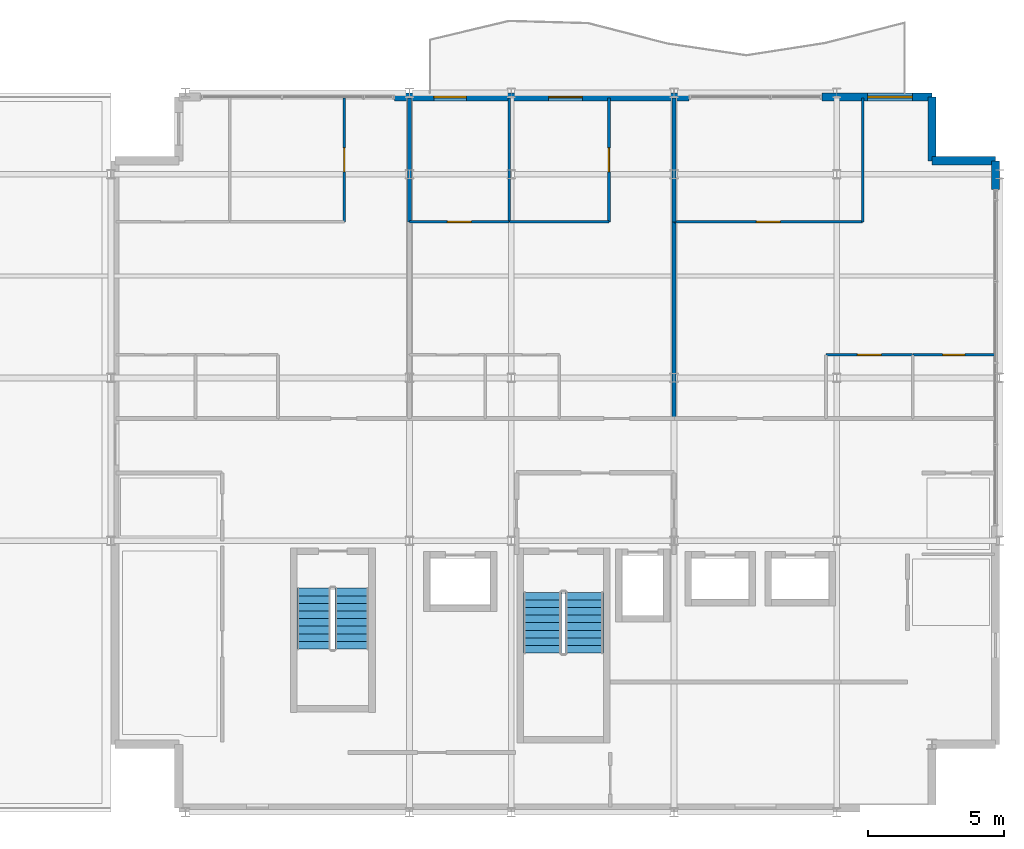
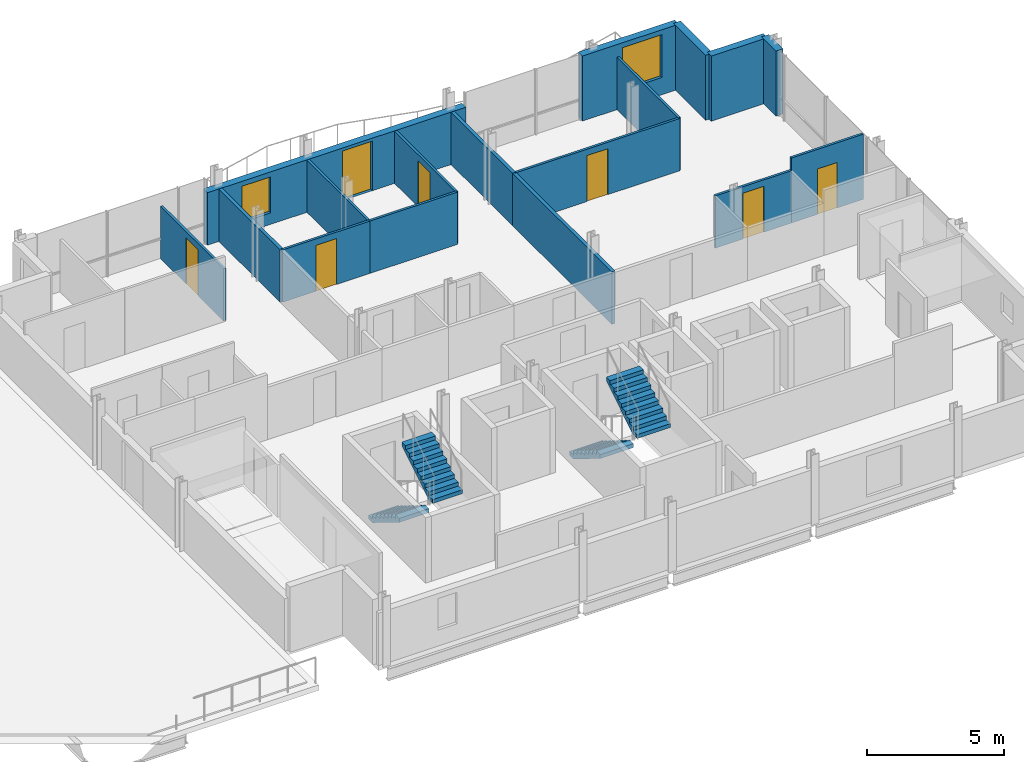
# One storey, part 15 of 17: 17 walls, 7 doors, 4 stair flights, 2 windows, 9 openings, 2 elements without a shape of their own.
"""IFC4 building model written with IfcOpenShell, lengths in metres."""

import ifcopenshell
import ifcopenshell.guid

model = None  # the IFC model being written
_history = None  # IfcOwnerHistory: only IFC2X3 demands one
_inside = {}  # id of a spatial element -> (the spatial element, [elements in it])
_under = {}  # id of a project, library or spatial element -> (it, [spatial elements below it])
_declared = {}  # id of a project -> (the project, [libraries it declares])
_typed = {}  # id of a type object -> (the type object, [elements of that type])
_made_of = {}  # id of a material, layer set ... -> (it, [elements and type objects made of it])


def new_model(schema):
    """Start an empty IFC model of exactly this schema.

    Asked for "IFC4X3", IfcOpenShell would pick the latest addendum, in which some entities
    have other attributes; the version numbers below select the first issue.
    IFC2X3 requires an IfcOwnerHistory on every rooted entity: one is made here for all.
    """
    global model, _history
    if schema == "IFC4X3":
        model = ifcopenshell.file(schema_version=(4, 3, 0, 0))
    else:
        model = ifcopenshell.file(schema=schema)
    _inside.clear()
    _under.clear()
    _declared.clear()
    _typed.clear()
    _made_of.clear()
    _history = None
    if model.schema == "IFC2X3":
        org = make("IfcOrganization", Name="unknown")
        user = make(
            "IfcPersonAndOrganization",
            ThePerson=make("IfcPerson", FamilyName="unknown"),
            TheOrganization=org,
        )
        app = make(
            "IfcApplication",
            ApplicationDeveloper=org,
            Version="unknown",
            ApplicationFullName="unknown",
            ApplicationIdentifier="unknown",
        )
        _history = make(
            "IfcOwnerHistory",
            OwningUser=user,
            OwningApplication=app,
            ChangeAction="ADDED",
            CreationDate=0,
        )
    return model


def make(cls, **values):
    """One entity of the class cls with the attributes given. An attribute that is None is left unset."""
    return model.create_entity(
        cls, **{name: value for name, value in values.items() if value is not None}
    )


def rooted(cls, **values):
    """An entity with a GlobalId (a new one), such as an element, a storey or a relation."""
    return make(cls, GlobalId=ifcopenshell.guid.new(), OwnerHistory=_history, **values)


def si_unit(unit_type, name, prefix=None):
    """IfcSIUnit, for example si_unit("LENGTHUNIT", "METRE", prefix="MILLI")."""
    return make("IfcSIUnit", UnitType=unit_type, Prefix=prefix, Name=name)


def assignment(units):
    """IfcUnitAssignment: the units of a project."""
    return None if units is None else make("IfcUnitAssignment", Units=units)


def point(xyz):
    """IfcCartesianPoint."""
    return None if xyz is None else make("IfcCartesianPoint", Coordinates=xyz)


def direction(xyz):
    """IfcDirection."""
    return None if xyz is None else make("IfcDirection", DirectionRatios=xyz)


def frame(location, z_axis=None, x_axis=None):
    """IfcAxis2Placement3D, a coordinate frame: its origin and axes. An axis left out is left unset."""
    return make(
        "IfcAxis2Placement3D",
        Location=point(location),
        Axis=direction(z_axis),
        RefDirection=direction(x_axis),
    )


def frame_2d(location, x_axis=None):
    """IfcAxis2Placement2D, a coordinate frame in the plane: its origin and x axis."""
    return make(
        "IfcAxis2Placement2D", Location=point(location), RefDirection=direction(x_axis)
    )


def origin():
    """The frame at (0, 0, 0) with its axes left unset."""
    return frame((0.0, 0.0, 0.0))


def place(relative_to, where):
    """IfcLocalPlacement: puts the frame where relative to a parent placement (None: the world)."""
    return make(
        "IfcLocalPlacement", PlacementRelTo=relative_to, RelativePlacement=where
    )


def context(
    kind, dimensions, precision=None, world=None, true_north=None, identifier=None
):
    """IfcGeometricRepresentationContext, for example the 3D "Model" context."""
    return make(
        "IfcGeometricRepresentationContext",
        ContextIdentifier=identifier,
        ContextType=kind,
        CoordinateSpaceDimension=dimensions,
        Precision=precision,
        WorldCoordinateSystem=world,
        TrueNorth=true_north,
    )


def subcontext(parent, identifier, kind, view, scale=None):
    """IfcGeometricRepresentationSubContext, for example "Body" below "Model"."""
    return make(
        "IfcGeometricRepresentationSubContext",
        ContextIdentifier=identifier,
        ContextType=kind,
        ParentContext=parent,
        TargetScale=scale,
        TargetView=view,
    )


def project(units=None, contexts=None):
    """IfcProject with its units and contexts."""
    return rooted(
        "IfcProject",
        Name="project",
        RepresentationContexts=contexts,
        UnitsInContext=assignment(units),
    )


def spatial(cls, under=None, at=None, **own):
    """A site, building, storey or space (cls), placed at a placement, below another one or the project."""
    s = rooted(cls, ObjectPlacement=at, **own)
    if under is not None:
        _under.setdefault(under.id(), (under, []))[1].append(s)
    return s


def polyline(points):
    """IfcPolyline through the points."""
    return make("IfcPolyline", Points=[point(p) for p in points])


def profile(cls, at=None, kind="AREA", **sizes):
    """A parametric profile (cls). Its sizes go by their IFC names, for example OverallWidth=200.0."""
    return make(cls, ProfileType=kind, Position=at, **sizes)


def rectangle(**sizes):
    """IfcRectangleProfileDef."""
    return profile("IfcRectangleProfileDef", **sizes)


def outline(outer, holes=None, kind="AREA"):
    """IfcArbitraryClosedProfileDef: a profile drawn as a closed curve; with holes, ...WithVoids."""
    if holes is None:
        return make("IfcArbitraryClosedProfileDef", ProfileType=kind, OuterCurve=outer)
    return make(
        "IfcArbitraryProfileDefWithVoids",
        ProfileType=kind,
        OuterCurve=outer,
        InnerCurves=holes,
    )


def extrude(swept, where, along, depth):
    """IfcExtrudedAreaSolid: the profile swept, set in the frame where, extruded along a direction by depth."""
    return make(
        "IfcExtrudedAreaSolid",
        SweptArea=swept,
        Position=where,
        ExtrudedDirection=direction(along),
        Depth=depth,
    )


def shape(context_of_items, identifier, shape_type, items):
    """IfcShapeRepresentation: the items that make up one representation, for example the "Body"."""
    return make(
        "IfcShapeRepresentation",
        ContextOfItems=context_of_items,
        RepresentationIdentifier=identifier,
        RepresentationType=shape_type,
        Items=items,
    )


def material(Name=None, Category=None):
    """IfcMaterial."""
    return make("IfcMaterial", Name=Name, Category=Category)


def layer(
    of_material, thickness, ventilated=None, Name=None, Category=None, Priority=None
):
    """IfcMaterialLayer: one layer of a wall or slab, of a material (None: an air gap)."""
    return make(
        "IfcMaterialLayer",
        Material=of_material,
        LayerThickness=thickness,
        IsVentilated=ventilated,
        Name=Name,
        Category=Category,
        Priority=Priority,
    )


def layer_set(layers, Name=None):
    """IfcMaterialLayerSet."""
    return make("IfcMaterialLayerSet", MaterialLayers=layers, LayerSetName=Name)


def made_of(thing, what):
    """Note that an element or type object is made of a material, layer set ...; save() writes the relation."""
    if what is not None:
        _made_of.setdefault(what.id(), (what, []))[1].append(thing)
    return thing


def type_object(cls, material=None, **own):
    """A type object (cls), such as IfcWallType, which elements share."""
    return made_of(rooted(cls, **own), material)


def element(
    cls,
    number,
    at=None,
    inside=None,
    cuts=None,
    type_object=None,
    material=None,
    context=None,
    identifier="Body",
    shape_type=None,
    held_by="IfcProductDefinitionShape",
    body=None,
    shapes=None,
    **own,
):
    """One element of the class cls, such as IfcWall. Its Tag is "e" and its number.

    at: its placement. inside: the storey or other place that contains it. cuts: it is an
    opening in that element (IfcRelVoidsElement). A single representation is given by context,
    identifier, shape_type and body (its items); several are given by shapes. held_by: the class
    of the entity that holds the representations. save() writes the other relations.
    """
    e = rooted(cls, Tag="e%d" % number, ObjectPlacement=at, **own)
    if body is not None:
        shapes = [shape(context, identifier, shape_type, body)]
    if shapes is not None:
        e.Representation = make(held_by, Representations=shapes)
    if inside is not None:
        _inside.setdefault(inside.id(), (inside, []))[1].append(e)
    if cuts is not None:
        rooted(
            "IfcRelVoidsElement", RelatingBuildingElement=cuts, RelatedOpeningElement=e
        )
    if type_object is not None:
        _typed.setdefault(type_object.id(), (type_object, []))[1].append(e)
    return made_of(e, material)


def fill(opening, filler):
    """IfcRelFillsElement: the door or window that sits in an opening."""
    return rooted(
        "IfcRelFillsElement",
        RelatingOpeningElement=opening,
        RelatedBuildingElement=filler,
    )


def aggregate(whole, parts):
    """IfcRelAggregates: a whole, such as a stair, and the parts it consists of."""
    return rooted("IfcRelAggregates", RelatingObject=whole, RelatedObjects=parts)


def save(model, path):
    """Write the relations noted so far, then the file.

    IfcRelAggregates (storeys below a building ...), IfcRelContainedInSpatialStructure (elements
    in a storey), IfcRelDefinesByType, IfcRelAssociatesMaterial and IfcRelDeclares: one each for
    every whole, place, type object, material and project.
    """
    for whole, parts in _under.values():
        aggregate(whole, parts)
    for where, things in _inside.values():
        rooted(
            "IfcRelContainedInSpatialStructure",
            RelatedElements=things,
            RelatingStructure=where,
        )
    for kind, things in _typed.values():
        rooted("IfcRelDefinesByType", RelatedObjects=things, RelatingType=kind)
    for what, things in _made_of.values():
        rooted("IfcRelAssociatesMaterial", RelatedObjects=things, RelatingMaterial=what)
    for by, libraries in _declared.values():
        rooted("IfcRelDeclares", RelatingContext=by, RelatedDefinitions=libraries)
    model.write(path)


model = new_model("IFC4")

# Units and contexts
model_context = context("Model", 3, precision=1e-05, world=origin(), true_north=direction((0.0, 1.0)))
body_context = subcontext(model_context, "Body", "Model", "MODEL_VIEW")
ifc_project = project(units=[si_unit("LENGTHUNIT", "METRE"), si_unit("AREAUNIT", "SQUARE_METRE"), si_unit("VOLUMEUNIT", "CUBIC_METRE"), si_unit("PLANEANGLEUNIT", "RADIAN"), si_unit("MASSUNIT", "GRAM", prefix="KILO")], contexts=[model_context])

# Site, building, storey
site_placement = place(None, origin())
site = spatial("IfcSite", under=ifc_project, at=site_placement, CompositionType="ELEMENT")
building_placement = place(site_placement, origin())
building = spatial("IfcBuilding", under=site, at=building_placement, Name="Brevholm Reach", CompositionType="ELEMENT")
storey_placement = place(building_placement, frame((0.0, 0.0, 221.10009765625)))
storey = spatial("IfcBuildingStorey", under=building, at=storey_placement, Name="L67", CompositionType="ELEMENT", Elevation=221.10009765625)

# Walls
ifc_material_1 = material(Name="Concrete C40/50", Category="concrete")
ifc_layer_1 = layer(ifc_material_1, 0.300048828125)
ifc_layer_set_1 = layer_set([ifc_layer_1], Name="Concrete C40/50")
wall_type_1 = type_object("IfcWallType", Name="WAL-EXT-300", PredefinedType="STANDARD", material=ifc_layer_set_1)
for number, where, z_axis, x_axis, name in (
    (1, (59.85009765625, 24.0, 0.0), (0.0, 0.0, 1.0), (-1.0, 0.0, 0.0), "L67 Facade Wall WAL-L67-CNE1"),
    (2, (57.5, 24.0, 0.0), (0.0, 0.0, 1.0), (0.0, 1.0, 0.0), "L67 Facade Wall WAL-L67-CNE2"),
):
    element("IfcWall", number, at=place(storey_placement, frame(where, z_axis=z_axis, x_axis=x_axis)), inside=storey, type_object=wall_type_1, Name=name, PredefinedType="STANDARD", context=body_context, shape_type="SweptSolid", body=[
        extrude(rectangle(XDim=2.35009765625, YDim=0.300048828125, at=frame_2d((1.175048828125, 0.0))), origin(), (0.0, 0.0, 1.0), 2.889892578125),
    ])
wall_1_placement = place(storey_placement, frame((59.85009765625, 22.949951171875, 0.0), z_axis=(0.0, 0.0, 1.0), x_axis=(0.0, 1.0, 0.0)))
element("IfcWall", 3, at=wall_1_placement, inside=storey, type_object=wall_type_1, Name="L67 Facade Wall WAL-L67-E-TOP", PredefinedType="STANDARD", context=body_context, shape_type="SweptSolid", body=[
    extrude(rectangle(XDim=1.050048828125, YDim=0.300048828125, at=frame_2d((0.52490234375, 0.0))), origin(), (0.0, 0.0, 1.0), 2.889892578125),
])

# Wall, openings, door, window
wall_2_placement = place(storey_placement, frame((37.699951171875, 26.35009765625, 0.0), z_axis=(0.0, 0.0, 1.0), x_axis=(1.0, 0.0, 0.0)))
wall_2 = element("IfcWall", 4, at=wall_2_placement, inside=storey, type_object=wall_type_1, Name="L67 Facade Wall WAL-L67-NP-2", PredefinedType="STANDARD", context=body_context, shape_type="SweptSolid", body=[
    extrude(rectangle(XDim=10.85009765625, YDim=0.300048828125, at=frame_2d((5.425048828125, 0.0))), origin(), (0.0, 0.0, 1.0), 2.331787109375),
])
opening_1_placement = place(wall_2_placement, frame((5.677001953125, 0.0, 0.0)))
opening_1 = element("IfcOpeningElement", 5, at=opening_1_placement, cuts=wall_2, Name="Opening BD-02", PredefinedType="OPENING", context=body_context, shape_type="SweptSolid", body=[
    extrude(rectangle(XDim=1.25, YDim=2.199951171875, at=frame_2d((0.625, 1.10009765625))), frame((0.0, 0.159912109375, 0.0), z_axis=(0.0, -1.0, 0.0), x_axis=(1.0, 0.0, 0.0)), (0.0, 0.0, 1.0), 0.320068359375),
])
opening_2_placement = place(wall_2_placement, frame((1.449951171875, 0.0, 0.511962890625)))
opening_2 = element("IfcOpeningElement", 6, at=opening_2_placement, cuts=wall_2, Name="Opening WN-08", PredefinedType="OPENING", context=body_context, shape_type="SweptSolid", body=[
    extrude(rectangle(XDim=1.199951171875, YDim=1.60009765625, at=frame_2d((0.60009765625, 0.800048828125))), frame((0.0, 0.159912109375, 0.0), z_axis=(0.0, -1.0, 0.0), x_axis=(1.0, 0.0, 0.0)), (0.0, 0.0, 1.0), 0.320068359375),
])
ifc_material_2 = material(Name="Dark Anodised Aluminium and Triple-Glazed Glass", Category="aluminium")
door_type_1 = type_object("IfcDoorType", Name="DOR-BALC-1250", OperationType="NOTDEFINED", PredefinedType="DOOR", material=ifc_material_2)
door_1_placement = place(opening_1_placement, origin())
door_1 = element("IfcDoor", 7, at=door_1_placement, inside=storey, type_object=door_type_1, Name="L67 Exterior Door DOR-L67-BL-NE", OperationType="SINGLE_SWING_RIGHT", OverallHeight=2.199951171875, OverallWidth=1.25, PredefinedType="DOOR", context=body_context, shape_type="SweptSolid", body=[
    extrude(rectangle(XDim=1.25, YDim=2.199951171875, at=frame_2d((0.625, 1.10009765625))), frame((0.0, 0.02490234375, 0.0), z_axis=(0.0, -1.0, 0.0), x_axis=(1.0, 0.0, 0.0)), (0.0, 0.0, 1.0), 0.050048828125),
])
fill(opening_1, door_1)
ifc_material_3 = material(Name="Dark Anodised Aluminium and Solar-Control IGU Glass", Category="aluminium")
window_type_1 = type_object("IfcWindowType", Name="WIN-RES-1200", PartitioningType="SINGLE_PANEL", PredefinedType="WINDOW", material=ifc_material_3)
window_1_placement = place(opening_2_placement, origin())
window_1 = element("IfcWindow", 8, at=window_1_placement, inside=storey, type_object=window_type_1, Name="L67 Window WIN-L67-NP-2", OverallHeight=1.60009765625, OverallWidth=1.199951171875, PartitioningType="SINGLE_PANEL", PredefinedType="WINDOW", context=body_context, shape_type="SweptSolid", body=[
    extrude(rectangle(XDim=1.199951171875, YDim=1.60009765625, at=frame_2d((0.60009765625, 0.800048828125))), frame((0.0, 0.030029296875, 0.0), z_axis=(0.0, -1.0, 0.0), x_axis=(1.0, 0.0, 0.0)), (0.0, 0.0, 1.0), 0.06005859375),
])
fill(opening_2, window_1)

# Wall, opening, window
wall_3_placement = place(storey_placement, frame((53.449951171875, 26.35009765625, 0.0), z_axis=(0.0, 0.0, 1.0), x_axis=(1.0, 0.0, 0.0)))
wall_3 = element("IfcWall", 9, at=wall_3_placement, inside=storey, type_object=wall_type_1, Name="L67 Facade Wall WAL-L67-NP-4", PredefinedType="STANDARD", context=body_context, shape_type="SweptSolid", body=[
    extrude(rectangle(XDim=4.050048828125, YDim=0.300048828125, at=frame_2d((2.02490234375, 0.0))), origin(), (0.0, 0.0, 1.0), 2.889892578125),
])
opening_3_placement = place(wall_3_placement, frame((1.679931640625, 0.0, 0.77001953125)))
opening_3 = element("IfcOpeningElement", 10, at=opening_3_placement, cuts=wall_3, Name="Opening WN-06", PredefinedType="OPENING", context=body_context, shape_type="SweptSolid", body=[
    extrude(rectangle(XDim=1.64990234375, YDim=1.89990234375, at=frame_2d((0.824951171875, 0.949951171875))), frame((0.0, 0.159912109375, 0.0), z_axis=(0.0, -1.0, 0.0), x_axis=(1.0, 0.0, 0.0)), (0.0, 0.0, 1.0), 0.320068359375),
])
ifc_material_4 = material(Name="Dark Anodised Aluminium and Solar-Control IGU Glass", Category="aluminium")
window_type_2 = type_object("IfcWindowType", Name="WIN-RES-1650", PartitioningType="SINGLE_PANEL", PredefinedType="WINDOW", material=ifc_material_4)
window_2_placement = place(opening_3_placement, origin())
window_2 = element("IfcWindow", 11, at=window_2_placement, inside=storey, type_object=window_type_2, Name="L67 Window WIN-L67-NP-4", OverallHeight=1.89990234375, OverallWidth=1.64990234375, PartitioningType="SINGLE_PANEL", PredefinedType="WINDOW", context=body_context, shape_type="SweptSolid", body=[
    extrude(rectangle(XDim=1.64990234375, YDim=1.89990234375, at=frame_2d((0.824951171875, 0.949951171875))), frame((0.0, 0.030029296875, 0.0), z_axis=(0.0, -1.0, 0.0), x_axis=(1.0, 0.0, 0.0)), (0.0, 0.0, 1.0), 0.06005859375),
])
fill(opening_3, window_2)

# Wall, opening, door
ifc_material_5 = material(Name="Moisture-Resistant Acoustic Gypsum Stud Partition 100 mm", Category="gypsum")
ifc_layer_2 = layer(ifc_material_5, 0.10009765625)
ifc_layer_set_2 = layer_set([ifc_layer_2], Name="Moisture-Resistant Acoustic Gypsum Stud Partition 100 mm")
wall_type_2 = type_object("IfcWallType", Name="WAL-PRT-100", PredefinedType="PARTITIONING", material=ifc_layer_set_2)
wall_4_placement = place(storey_placement, frame((35.85009765625, 21.75, 0.0), z_axis=(0.0, 0.0, 1.0), x_axis=(0.0, 1.0, 0.0)))
wall_4 = element("IfcWall", 12, at=wall_4_placement, inside=storey, type_object=wall_type_2, Name="L67 Internal Partition 029", PredefinedType="PARTITIONING", context=body_context, shape_type="SweptSolid", body=[
    extrude(rectangle(XDim=4.570068359375, YDim=0.10009765625, at=frame_2d((2.28515625, 0.0))), origin(), (0.0, 0.0, 1.0), 2.325439453125),
])
opening_4_placement = place(wall_4_placement, frame((1.844970703125, 0.0, 0.0)))
opening_4 = element("IfcOpeningElement", 13, at=opening_4_placement, cuts=wall_4, Name="Opening ID-01", PredefinedType="OPENING", context=body_context, shape_type="SweptSolid", body=[
    extrude(rectangle(XDim=0.8798828125, YDim=2.0400390625, at=frame_2d((0.43994140625, 1.02001953125))), frame((0.0, 0.06005859375, 0.0), z_axis=(0.0, -1.0, 0.0), x_axis=(1.0, 0.0, 0.0)), (0.0, 0.0, 1.0), 0.1201171875),
])
ifc_material_6 = material(Name="Lacquered Ash Solid-Core Acoustic Internal Door", Category="timber")
door_type_2 = type_object("IfcDoorType", Name="DOR-INT-880", OperationType="NOTDEFINED", PredefinedType="DOOR", material=ifc_material_6)
door_2_placement = place(opening_4_placement, origin())
door_2 = element("IfcDoor", 14, at=door_2_placement, inside=storey, type_object=door_type_2, Name="L67 Internal Door 016", OperationType="SINGLE_SWING_LEFT", OverallHeight=2.0400390625, OverallWidth=0.8798828125, PredefinedType="DOOR", context=body_context, shape_type="SweptSolid", body=[
    extrude(rectangle(XDim=0.8798828125, YDim=2.0400390625, at=frame_2d((0.43994140625, 1.02001953125))), frame((0.0, 0.02490234375, 0.0), z_axis=(0.0, -1.0, 0.0), x_axis=(1.0, 0.0, 0.0)), (0.0, 0.0, 1.0), 0.050048828125),
])
fill(opening_4, door_2)

# Wall
wall_5_placement = place(storey_placement, frame((41.925048828125, 21.75, 0.0), z_axis=(0.0, 0.0, 1.0), x_axis=(0.0, 1.0, 0.0)))
element("IfcWall", 15, at=wall_5_placement, inside=storey, type_object=wall_type_2, Name="L67 Internal Partition 038", PredefinedType="PARTITIONING", context=body_context, shape_type="SweptSolid", body=[
    extrude(rectangle(XDim=4.570068359375, YDim=0.10009765625, at=frame_2d((2.28515625, 0.0))), origin(), (0.0, 0.0, 1.0), 2.325439453125),
])

# Wall, opening, door
wall_6_placement = place(storey_placement, frame((38.25390625, 21.75, 0.0), z_axis=(0.0, 0.0, 1.0), x_axis=(1.0, 0.0, 0.0)))
wall_6 = element("IfcWall", 16, at=wall_6_placement, inside=storey, type_object=wall_type_2, Name="L67 Internal Partition 039", PredefinedType="PARTITIONING", context=body_context, shape_type="SweptSolid", body=[
    extrude(rectangle(XDim=3.671142578125, YDim=0.10009765625, at=frame_2d((1.83544921875, 0.0))), origin(), (0.0, 0.0, 1.0), 2.325439453125),
])
opening_5_placement = place(wall_6_placement, frame((1.3955078125, 0.0, 0.0)))
opening_5 = element("IfcOpeningElement", 17, at=opening_5_placement, cuts=wall_6, Name="Opening ID-01", PredefinedType="OPENING", context=body_context, shape_type="SweptSolid", body=[
    extrude(rectangle(XDim=0.8798828125, YDim=2.0400390625, at=frame_2d((0.43994140625, 1.02001953125))), frame((0.0, 0.06005859375, 0.0), z_axis=(0.0, -1.0, 0.0), x_axis=(1.0, 0.0, 0.0)), (0.0, 0.0, 1.0), 0.1201171875),
])
door_3_placement = place(opening_5_placement, origin())
door_3 = element("IfcDoor", 18, at=door_3_placement, inside=storey, type_object=door_type_2, Name="L67 Internal Door 019", OperationType="SINGLE_SWING_RIGHT", OverallHeight=2.0400390625, OverallWidth=0.8798828125, PredefinedType="DOOR", context=body_context, shape_type="SweptSolid", body=[
    extrude(rectangle(XDim=0.8798828125, YDim=2.0400390625, at=frame_2d((0.43994140625, 1.02001953125))), frame((0.0, 0.02490234375, 0.0), z_axis=(0.0, -1.0, 0.0), x_axis=(1.0, 0.0, 0.0)), (0.0, 0.0, 1.0), 0.050048828125),
])
fill(opening_5, door_3)

wall_7_placement = place(storey_placement, frame((45.60009765625, 21.75, 0.0), z_axis=(0.0, 0.0, 1.0), x_axis=(0.0, 1.0, 0.0)))
wall_7 = element("IfcWall", 19, at=wall_7_placement, inside=storey, type_object=wall_type_2, Name="L67 Internal Partition 040", PredefinedType="PARTITIONING", context=body_context, shape_type="SweptSolid", body=[
    extrude(rectangle(XDim=4.570068359375, YDim=0.10009765625, at=frame_2d((2.28515625, 0.0))), origin(), (0.0, 0.0, 1.0), 2.325439453125),
])
opening_6_placement = place(wall_7_placement, frame((1.844970703125, 0.0, 0.0)))
opening_6 = element("IfcOpeningElement", 20, at=opening_6_placement, cuts=wall_7, Name="Opening ID-01", PredefinedType="OPENING", context=body_context, shape_type="SweptSolid", body=[
    extrude(rectangle(XDim=0.8798828125, YDim=2.0400390625, at=frame_2d((0.43994140625, 1.02001953125))), frame((0.0, 0.06005859375, 0.0), z_axis=(0.0, -1.0, 0.0), x_axis=(1.0, 0.0, 0.0)), (0.0, 0.0, 1.0), 0.1201171875),
])
door_4_placement = place(opening_6_placement, origin())
door_4 = element("IfcDoor", 21, at=door_4_placement, inside=storey, type_object=door_type_2, Name="L67 Internal Door 020", OperationType="SINGLE_SWING_LEFT", OverallHeight=2.0400390625, OverallWidth=0.8798828125, PredefinedType="DOOR", context=body_context, shape_type="SweptSolid", body=[
    extrude(rectangle(XDim=0.8798828125, YDim=2.0400390625, at=frame_2d((0.43994140625, 1.02001953125))), frame((0.0, 0.02490234375, 0.0), z_axis=(0.0, -1.0, 0.0), x_axis=(1.0, 0.0, 0.0)), (0.0, 0.0, 1.0), 0.050048828125),
])
fill(opening_6, door_4)

# Wall
wall_8_placement = place(storey_placement, frame((41.928955078125, 21.75, 0.0), z_axis=(0.0, 0.0, 1.0), x_axis=(1.0, 0.0, 0.0)))
element("IfcWall", 22, at=wall_8_placement, inside=storey, type_object=wall_type_2, Name="L67 Internal Partition 041", PredefinedType="PARTITIONING", context=body_context, shape_type="SweptSolid", body=[
    extrude(rectangle(XDim=3.671142578125, YDim=0.10009765625, at=frame_2d((1.83544921875, 0.0))), origin(), (0.0, 0.0, 1.0), 2.325439453125),
])

# Wall, opening, door
wall_9_placement = place(storey_placement, frame((56.800048828125, 16.85009765625, 0.0), z_axis=(0.0, 0.0, 1.0), x_axis=(1.0, 0.0, 0.0)))
wall_9 = element("IfcWall", 23, at=wall_9_placement, inside=storey, type_object=wall_type_2, Name="L67 Internal Partition 045", PredefinedType="PARTITIONING", context=body_context, shape_type="SweptSolid", body=[
    extrude(rectangle(XDim=3.02001953125, YDim=0.10009765625, at=frame_2d((1.510009765625, 0.0))), origin(), (0.0, 0.0, 1.0), 2.889892578125),
])
opening_7_placement = place(wall_9_placement, frame((1.10009765625, 0.0, 0.0)))
opening_7 = element("IfcOpeningElement", 24, at=opening_7_placement, cuts=wall_9, Name="Opening ID-03", PredefinedType="OPENING", context=body_context, shape_type="SweptSolid", body=[
    extrude(rectangle(XDim=0.820068359375, YDim=2.02001953125, at=frame_2d((0.41015625, 1.010009765625))), frame((0.0, 0.06005859375, 0.0), z_axis=(0.0, -1.0, 0.0), x_axis=(1.0, 0.0, 0.0)), (0.0, 0.0, 1.0), 0.1201171875),
])
ifc_material_7 = material(Name="Moisture-Resistant Painted Timber Internal Bathroom Door", Category="wood")
door_type_3 = type_object("IfcDoorType", Name="DOR-BATH-820", OperationType="NOTDEFINED", PredefinedType="DOOR", material=ifc_material_7)
door_5_placement = place(opening_7_placement, origin())
door_5 = element("IfcDoor", 25, at=door_5_placement, inside=storey, type_object=door_type_3, Name="L67 Internal Door 021", OperationType="SINGLE_SWING_RIGHT", OverallHeight=2.02001953125, OverallWidth=0.820068359375, PredefinedType="DOOR", context=body_context, shape_type="SweptSolid", body=[
    extrude(rectangle(XDim=0.820068359375, YDim=2.02001953125, at=frame_2d((0.41015625, 1.010009765625))), frame((0.0, 0.02490234375, 0.0), z_axis=(0.0, -1.0, 0.0), x_axis=(1.0, 0.0, 0.0)), (0.0, 0.0, 1.0), 0.050048828125),
])
fill(opening_7, door_5)

wall_10_placement = place(storey_placement, frame((53.60009765625, 16.85009765625, 0.0), z_axis=(0.0, 0.0, 1.0), x_axis=(1.0, 0.0, 0.0)))
wall_10 = element("IfcWall", 26, at=wall_10_placement, inside=storey, type_object=wall_type_2, Name="L67 Internal Partition 046", PredefinedType="PARTITIONING", context=body_context, shape_type="SweptSolid", body=[
    extrude(rectangle(XDim=3.19580078125, YDim=0.10009765625, at=frame_2d((1.597900390625, 0.0))), origin(), (0.0, 0.0, 1.0), 2.325439453125),
])
opening_8_placement = place(wall_10_placement, frame((1.157958984375, 0.0, 0.0)))
opening_8 = element("IfcOpeningElement", 27, at=opening_8_placement, cuts=wall_10, Name="Opening ID-01", PredefinedType="OPENING", context=body_context, shape_type="SweptSolid", body=[
    extrude(rectangle(XDim=0.8798828125, YDim=2.0400390625, at=frame_2d((0.43994140625, 1.02001953125))), frame((0.0, 0.06005859375, 0.0), z_axis=(0.0, -1.0, 0.0), x_axis=(1.0, 0.0, 0.0)), (0.0, 0.0, 1.0), 0.1201171875),
])
door_6_placement = place(opening_8_placement, origin())
door_6 = element("IfcDoor", 28, at=door_6_placement, inside=storey, type_object=door_type_2, Name="L67 Internal Door 022", OperationType="SINGLE_SWING_LEFT", OverallHeight=2.0400390625, OverallWidth=0.8798828125, PredefinedType="DOOR", context=body_context, shape_type="SweptSolid", body=[
    extrude(rectangle(XDim=0.8798828125, YDim=2.0400390625, at=frame_2d((0.43994140625, 1.02001953125))), frame((0.0, 0.02490234375, 0.0), z_axis=(0.0, -1.0, 0.0), x_axis=(1.0, 0.0, 0.0)), (0.0, 0.0, 1.0), 0.050048828125),
])
fill(opening_8, door_6)

# Wall
wall_11_placement = place(storey_placement, frame((54.949951171875, 21.75, 0.0), z_axis=(0.0, 0.0, 1.0), x_axis=(0.0, 1.0, 0.0)))
element("IfcWall", 29, at=wall_11_placement, inside=storey, type_object=wall_type_2, Name="L67 Internal Partition 048", PredefinedType="PARTITIONING", context=body_context, shape_type="SweptSolid", body=[
    extrude(rectangle(XDim=4.570068359375, YDim=0.10009765625, at=frame_2d((2.28515625, 0.0))), origin(), (0.0, 0.0, 1.0), 2.325439453125),
])

# Wall, opening, door
wall_12_placement = place(storey_placement, frame((48.00390625, 21.75, 0.0), z_axis=(0.0, 0.0, 1.0), x_axis=(1.0, 0.0, 0.0)))
wall_12 = element("IfcWall", 30, at=wall_12_placement, inside=storey, type_object=wall_type_2, Name="L67 Internal Partition 049", PredefinedType="PARTITIONING", context=body_context, shape_type="SweptSolid", body=[
    extrude(rectangle(XDim=6.946044921875, YDim=0.10009765625, at=frame_2d((3.47314453125, 0.0))), origin(), (0.0, 0.0, 1.0), 2.325439453125),
])
opening_9_placement = place(wall_12_placement, frame((3.032958984375, 0.0, 0.0)))
opening_9 = element("IfcOpeningElement", 31, at=opening_9_placement, cuts=wall_12, Name="Opening ID-01", PredefinedType="OPENING", context=body_context, shape_type="SweptSolid", body=[
    extrude(rectangle(XDim=0.8798828125, YDim=2.0400390625, at=frame_2d((0.43994140625, 1.02001953125))), frame((0.0, 0.06005859375, 0.0), z_axis=(0.0, -1.0, 0.0), x_axis=(1.0, 0.0, 0.0)), (0.0, 0.0, 1.0), 0.1201171875),
])
door_7_placement = place(opening_9_placement, origin())
door_7 = element("IfcDoor", 32, at=door_7_placement, inside=storey, type_object=door_type_2, Name="L67 Internal Door 023", OperationType="SINGLE_SWING_RIGHT", OverallHeight=2.0400390625, OverallWidth=0.8798828125, PredefinedType="DOOR", context=body_context, shape_type="SweptSolid", body=[
    extrude(rectangle(XDim=0.8798828125, YDim=2.0400390625, at=frame_2d((0.43994140625, 1.02001953125))), frame((0.0, 0.02490234375, 0.0), z_axis=(0.0, -1.0, 0.0), x_axis=(1.0, 0.0, 0.0)), (0.0, 0.0, 1.0), 0.050048828125),
])
fill(opening_9, door_7)

# Walls
ifc_material_8 = material(Name="Twin-Stud Acoustic Fire-Rated Gypsum Partition 140 mm", Category="gypsum")
ifc_layer_3 = layer(ifc_material_8, 0.139892578125)
ifc_layer_set_3 = layer_set([ifc_layer_3], Name="Twin-Stud Acoustic Fire-Rated Gypsum Partition 140 mm")
wall_type_3 = type_object("IfcWallType", Name="WAL-PRT-140", PredefinedType="PARTITIONING", material=ifc_layer_set_3)
for number, where, z_axis, x_axis, name in (
    (33, (38.25, 21.73876953125, 0.0), (0.0, 0.0, 1.0), (0.0, 1.0, 0.0), "L67 Internal Partition 032"),
    (34, (48.0, 21.73876953125, 0.0), (0.0, 0.0, 1.0), (0.0, 1.0, 0.0), "L67 Internal Partition 042"),
):
    element("IfcWall", number, at=place(storey_placement, frame(where, z_axis=z_axis, x_axis=x_axis)), inside=storey, type_object=wall_type_3, Name=name, PredefinedType="PARTITIONING", context=body_context, shape_type="SweptSolid", body=[
        extrude(rectangle(XDim=4.581298828125, YDim=0.139892578125, at=frame_2d((2.29052734375, 0.0))), origin(), (0.0, 0.0, 1.0), 2.325439453125),
    ])
wall_13_placement = place(storey_placement, frame((48.0, 14.50390625, 0.0), z_axis=(0.0, 0.0, 1.0), x_axis=(0.0, 1.0, 0.0)))
element("IfcWall", 35, at=wall_13_placement, inside=storey, type_object=wall_type_3, Name="L67 Internal Partition 043", PredefinedType="PARTITIONING", context=body_context, shape_type="SweptSolid", body=[
    extrude(rectangle(XDim=7.25341796875, YDim=0.139892578125, at=frame_2d((3.626708984375, 0.0))), origin(), (0.0, 0.0, 1.0), 2.325439453125),
])

# Stair, stair flights
ifc_material_9 = material(Name="Precast Concrete C40/50", Category="concrete")
stair_type_1 = type_object("IfcStairType", Name="STR-ESC-1250", PredefinedType="DOUBLE_RETURN_STAIR", material=ifc_material_9)
stair_1_placement = place(storey_placement, origin())
stair_1 = element("IfcStair", 36, at=stair_1_placement, inside=storey, type_object=stair_type_1, Name="L67 ST-3", PredefinedType="DOUBLE_RETURN_STAIR")
ifc_material_10 = material(Name="Precast Concrete C40/50", Category="concrete")
ifc_layer_4 = layer(ifc_material_10, 0.1650390625)
ifc_layer_set_4 = layer_set([ifc_layer_4], Name="Precast Concrete C40/50")
stair_flight_type_1 = type_object("IfcStairFlightType", Name="STF-PRC-165", PredefinedType="STRAIGHT", material=ifc_layer_set_4)
stair_flight_1_placement = place(storey_placement, frame((34.72509765625, 8.25, 0.0), z_axis=(0.0, 0.0, 1.0), x_axis=(0.0, -1.0, 0.0)))
stair_flight_1 = element("IfcStairFlight", 37, at=stair_flight_1_placement, type_object=stair_flight_type_1, Name="ST-3 flight 1", NumberOfRisers=9, NumberOfTreads=8, PredefinedType="STRAIGHT", RiserHeight=0.172222222, TreadLength=0.28, context=body_context, shape_type="SweptSolid", body=[
    extrude(outline(polyline([(0.0, 0.0), (0.0, 0.172119140625), (0.280029296875, 0.172119140625), (0.280029296875, 0.344482421875), (0.56005859375, 0.344482421875), (0.56005859375, 0.5166015625), (0.840087890625, 0.5166015625), (0.840087890625, 0.68896484375), (1.1201171875, 0.68896484375), (1.1201171875, 0.861083984375), (1.39990234375, 0.861083984375), (1.39990234375, 1.033447265625), (1.679931640625, 1.033447265625), (1.679931640625, 1.20556640625), (1.9599609375, 1.20556640625), (1.9599609375, 1.377685546875), (2.239990234375, 1.377685546875), (2.239990234375, 1.550048828125), (2.239990234375, 1.201904296875), (0.2861328125, 0.0), (0.0, 0.0)])), frame((0.0, 0.625, 0.0), z_axis=(0.0, -1.0, 0.0), x_axis=(1.0, 0.0, 0.0)), (0.0, 0.0, 1.0), 1.25),
])
stair_flight_2_placement = place(storey_placement, frame((36.125, 6.010009765625, 1.5498046875), z_axis=(0.0, 0.0, 1.0), x_axis=(0.0, 1.0, 0.0)))
stair_flight_2 = element("IfcStairFlight", 38, at=stair_flight_2_placement, type_object=stair_flight_type_1, Name="ST-3 flight 2", NumberOfRisers=9, NumberOfTreads=8, PredefinedType="STRAIGHT", RiserHeight=0.172222222, TreadLength=0.28, context=body_context, shape_type="SweptSolid", body=[
    extrude(outline(polyline([(0.0, 0.0), (0.0, 0.172119140625), (0.280029296875, 0.172119140625), (0.280029296875, 0.344482421875), (0.56005859375, 0.344482421875), (0.56005859375, 0.5166015625), (0.840087890625, 0.5166015625), (0.840087890625, 0.68896484375), (1.1201171875, 0.68896484375), (1.1201171875, 0.861083984375), (1.39990234375, 0.861083984375), (1.39990234375, 1.033447265625), (1.679931640625, 1.033447265625), (1.679931640625, 1.20556640625), (1.9599609375, 1.20556640625), (1.9599609375, 1.377685546875), (2.239990234375, 1.377685546875), (2.239990234375, 1.550048828125), (2.239990234375, 1.201904296875), (0.2861328125, 0.0), (0.0, 0.0)])), frame((0.0, 0.625, 0.0), z_axis=(0.0, -1.0, 0.0), x_axis=(1.0, 0.0, 0.0)), (0.0, 0.0, 1.0), 1.25),
])
aggregate(stair_1, [stair_flight_1, stair_flight_2])

ifc_material_11 = material(Name="Precast Concrete C40/50", Category="concrete")
stair_type_2 = type_object("IfcStairType", Name="STR-ESC-1400", PredefinedType="DOUBLE_RETURN_STAIR", material=ifc_material_11)
stair_2_placement = place(storey_placement, origin())
stair_2 = element("IfcStair", 39, at=stair_2_placement, inside=storey, type_object=stair_type_2, Name="L67 ST-2", PredefinedType="DOUBLE_RETURN_STAIR")
ifc_material_12 = material(Name="Precast Concrete C40/50", Category="concrete")
ifc_layer_5 = layer(ifc_material_12, 0.18505859375)
ifc_layer_set_5 = layer_set([ifc_layer_5], Name="Precast Concrete C40/50")
stair_flight_type_2 = type_object("IfcStairFlightType", Name="STF-PRC-185", PredefinedType="STRAIGHT", material=ifc_layer_set_5)
stair_flight_3_placement = place(storey_placement, frame((43.14990234375, 8.10009765625, 0.0), z_axis=(0.0, 0.0, 1.0), x_axis=(0.0, -1.0, 0.0)))
stair_flight_3 = element("IfcStairFlight", 40, at=stair_flight_3_placement, type_object=stair_flight_type_2, Name="ST-2 flight 1", NumberOfRisers=9, NumberOfTreads=8, PredefinedType="STRAIGHT", RiserHeight=0.172222222, TreadLength=0.28, context=body_context, shape_type="SweptSolid", body=[
    extrude(outline(polyline([(0.0, 0.0), (0.0, 0.172119140625), (0.280029296875, 0.172119140625), (0.280029296875, 0.344482421875), (0.56005859375, 0.344482421875), (0.56005859375, 0.5166015625), (0.840087890625, 0.5166015625), (0.840087890625, 0.68896484375), (1.1201171875, 0.68896484375), (1.1201171875, 0.861083984375), (1.39990234375, 0.861083984375), (1.39990234375, 1.033447265625), (1.679931640625, 1.033447265625), (1.679931640625, 1.20556640625), (1.9599609375, 1.20556640625), (1.9599609375, 1.377685546875), (2.239990234375, 1.377685546875), (2.239990234375, 1.550048828125), (2.239990234375, 1.201904296875), (0.2861328125, 0.0), (0.0, 0.0)])), frame((0.0, 0.699951171875, 0.0), z_axis=(0.0, -1.0, 0.0), x_axis=(1.0, 0.0, 0.0)), (0.0, 0.0, 1.0), 1.39990234375),
])
stair_flight_4_placement = place(storey_placement, frame((44.699951171875, 5.860107421875, 1.5498046875), z_axis=(0.0, 0.0, 1.0), x_axis=(0.0, 1.0, 0.0)))
stair_flight_4 = element("IfcStairFlight", 41, at=stair_flight_4_placement, type_object=stair_flight_type_2, Name="ST-2 flight 2", NumberOfRisers=9, NumberOfTreads=8, PredefinedType="STRAIGHT", RiserHeight=0.172222222, TreadLength=0.28, context=body_context, shape_type="SweptSolid", body=[
    extrude(outline(polyline([(0.0, 0.0), (0.0, 0.172119140625), (0.280029296875, 0.172119140625), (0.280029296875, 0.344482421875), (0.56005859375, 0.344482421875), (0.56005859375, 0.5166015625), (0.840087890625, 0.5166015625), (0.840087890625, 0.68896484375), (1.1201171875, 0.68896484375), (1.1201171875, 0.861083984375), (1.39990234375, 0.861083984375), (1.39990234375, 1.033447265625), (1.679931640625, 1.033447265625), (1.679931640625, 1.20556640625), (1.9599609375, 1.20556640625), (1.9599609375, 1.377685546875), (2.239990234375, 1.377685546875), (2.239990234375, 1.550048828125), (2.239990234375, 1.201904296875), (0.2861328125, 0.0), (0.0, 0.0)])), frame((0.0, 0.699951171875, 0.0), z_axis=(0.0, -1.0, 0.0), x_axis=(1.0, 0.0, 0.0)), (0.0, 0.0, 1.0), 1.39990234375),
])
aggregate(stair_2, [stair_flight_3, stair_flight_4])

save(model, "model.ifc")
